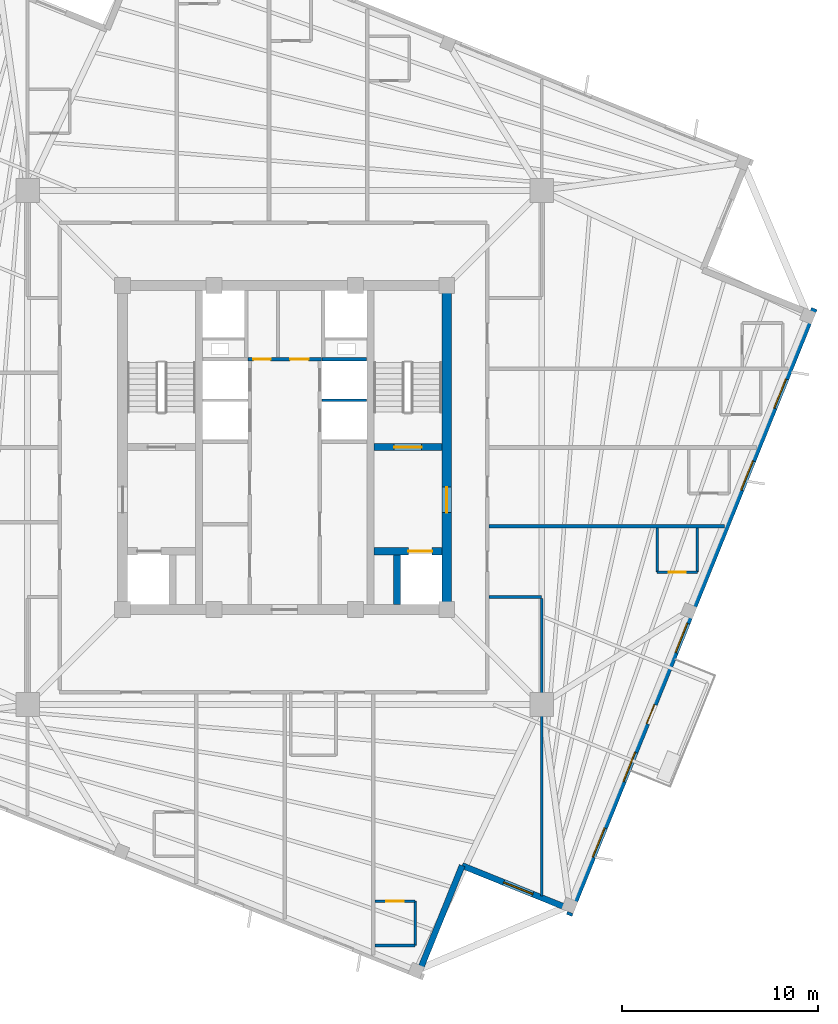
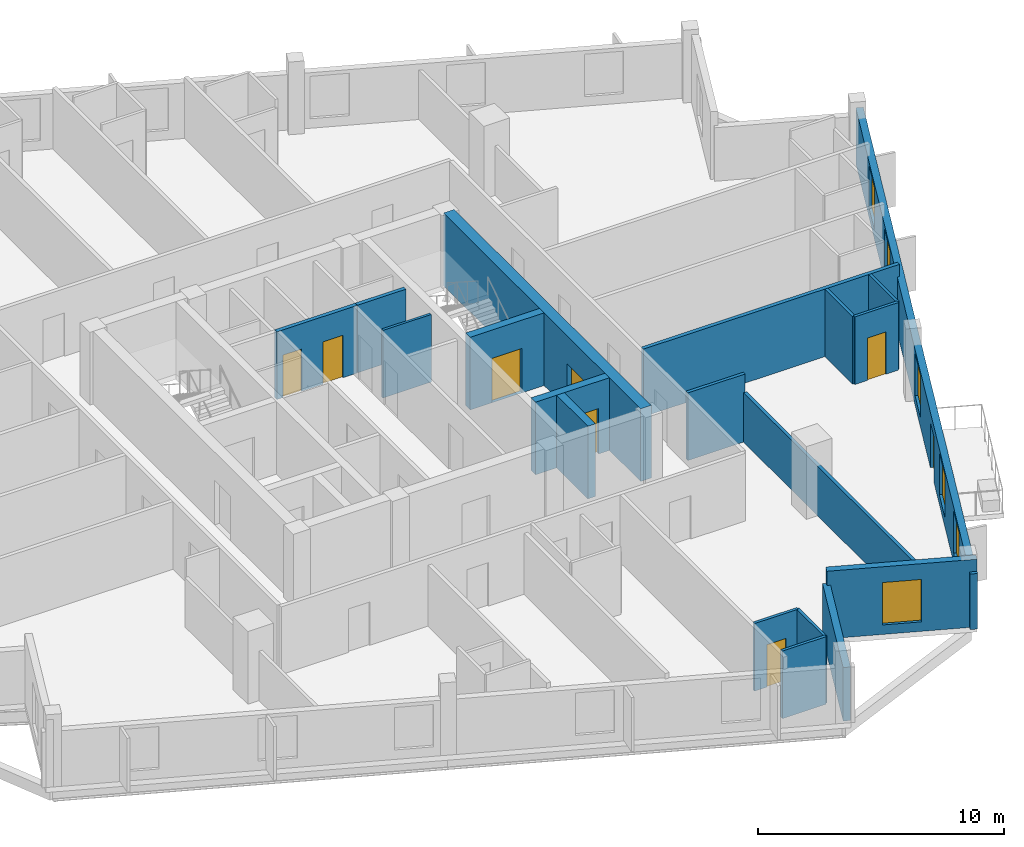
# One storey, part 4 of 9: 19 walls, 8 doors, 6 windows, 14 openings.
"""IFC4 building model written with IfcOpenShell, lengths in metres."""

from ifc_helpers import new_model, si_unit, direction, frame, frame_2d, origin, place, context, subcontext, project, spatial, rectangle, extrude, source, transform, mapped, material, layer, layer_set, type_object, element, fill, save


model = new_model("IFC4")

# Units and contexts
model_context = context("Model", 3, precision=1e-05, world=origin(), true_north=direction((0.0, 1.0)))
body_context = subcontext(model_context, "Body", "Model", "MODEL_VIEW")
ifc_project = project(units=[si_unit("LENGTHUNIT", "METRE"), si_unit("AREAUNIT", "SQUARE_METRE"), si_unit("VOLUMEUNIT", "CUBIC_METRE"), si_unit("PLANEANGLEUNIT", "RADIAN"), si_unit("MASSUNIT", "GRAM", prefix="KILO"), si_unit("THERMODYNAMICTEMPERATUREUNIT", "KELVIN")], contexts=[model_context])

# Site, building, storey
site_placement = place(None, origin())
site = spatial("IfcSite", under=ifc_project, at=site_placement, CompositionType="ELEMENT")
building_placement = place(site_placement, origin())
building = spatial("IfcBuilding", under=site, at=building_placement, Name="Kosmvard Interchange Tower", CompositionType="ELEMENT")
storey_placement = place(building_placement, frame((0.0, 0.0, 283.199951171875)))
storey = spatial("IfcBuildingStorey", under=building, at=storey_placement, Name="L69", CompositionType="ELEMENT", Elevation=283.199951171875)

# Walls
ifc_material_1 = material(Name="Acoustic gypsum partition system")
ifc_layer_1 = layer(ifc_material_1, 0.14990234375, Name="Acoustic gypsum partition system")
ifc_layer_set_1 = layer_set([ifc_layer_1], Name="Acoustic gypsum partition system")
wall_type_1 = type_object("IfcWallType", Name="Acoustic Suite & Meeting Partition 150", PredefinedType="PARTITIONING", material=ifc_layer_set_1)
wall_1_placement = place(storey_placement, frame((10.39501953125, -7.60009765625, 0.0), z_axis=(0.0, 0.0, 1.0), x_axis=(1.0, 0.0, 0.0)))
element("IfcWall", 1, at=wall_1_placement, inside=storey, type_object=wall_type_1, Name="L69 Room Partition 17.1", PredefinedType="PARTITIONING", context=body_context, shape_type="SweptSolid", body=[
    extrude(rectangle(XDim=2.68603515625, YDim=0.14990234375, at=frame_2d((1.343017578125, 0.0))), origin(), (0.0, 0.0, 1.0), 3.35009765625),
])
wall_2_placement = place(storey_placement, frame((13.0810546875, -7.675048828125, 0.0), z_axis=(0.0, 0.0, 1.0), x_axis=(0.0, -1.0, 0.0)))
element("IfcWall", 2, at=wall_2_placement, inside=storey, type_object=wall_type_1, Name="L69 Room Partition 18.1", PredefinedType="PARTITIONING", context=body_context, shape_type="SweptSolid", body=[
    extrude(rectangle(XDim=15.1416015625, YDim=0.14990234375, at=frame_2d((7.57080078125, 0.0))), origin(), (0.0, 0.0, 1.0), 2.449951171875),
])

# Wall, openings, doors
ifc_material_2 = material(Name="Fire-rated gypsum partition system")
ifc_layer_2 = layer(ifc_material_2, 0.179931640625, Name="Fire-rated gypsum partition system")
ifc_layer_set_2 = layer_set([ifc_layer_2], Name="Fire-rated gypsum partition system")
wall_type_2 = type_object("IfcWallType", Name="Corridor & Hotel Compartment Partition 180", PredefinedType="PARTITIONING", material=ifc_layer_set_2)
wall_3_placement = place(storey_placement, frame((-1.8798828125, 4.489990234375, 0.0), z_axis=(0.0, 0.0, 1.0), x_axis=(1.0, 0.0, 0.0)))
wall_3 = element("IfcWall", 3, at=wall_3_placement, inside=storey, type_object=wall_type_2, Name="L69 Lift Lobby North Partition", PredefinedType="PARTITIONING", context=body_context, shape_type="SweptSolid", body=[
    extrude(rectangle(XDim=3.759765625, YDim=0.179931640625, at=frame_2d((1.8798828125, 0.0))), origin(), (0.0, 0.0, 1.0), 3.35009765625),
])
opening_1_placement = place(wall_3_placement, frame((0.280029296875, 0.0, 0.0)))
opening_1 = element("IfcOpeningElement", 4, at=opening_1_placement, cuts=wall_3, Name="Opening L69-KD1", PredefinedType="OPENING", context=body_context, shape_type="SweptSolid", body=[
    extrude(rectangle(XDim=0.8798828125, YDim=2.10009765625, at=frame_2d((0.43994140625, 1.050048828125))), frame((0.0, 0.10009765625, 0.0), z_axis=(0.0, -1.0, 0.0), x_axis=(1.0, 0.0, 0.0)), (0.0, 0.0, 1.0), 0.199951171875),
])
opening_2_placement = place(wall_3_placement, frame((2.14990234375, 0.0, 0.0)))
opening_2 = element("IfcOpeningElement", 5, at=opening_2_placement, cuts=wall_3, Name="Opening L69-KD2", PredefinedType="OPENING", context=body_context, shape_type="SweptSolid", body=[
    extrude(rectangle(XDim=0.949951171875, YDim=2.10009765625, at=frame_2d((0.47509765625, 1.050048828125))), frame((0.0, 0.10009765625, 0.0), z_axis=(0.0, -1.0, 0.0), x_axis=(1.0, 0.0, 0.0)), (0.0, 0.0, 1.0), 0.199951171875),
])
ifc_material_3 = material(Name="Painted fire-rated timber leaf", Category="wood")
door_type_1 = type_object("IfcDoorType", Name="Core Service Fire Door 950x2100 EI30", OperationType="NOTDEFINED", PredefinedType="DOOR", material=ifc_material_3)
shared_shape_1 = source(origin(), body_context, "Body", "SweptSolid", [
    extrude(rectangle(XDim=0.949951171875, YDim=2.10009765625, at=frame_2d((0.47509765625, 1.050048828125))), frame((0.0, 0.02490234375, 0.0), z_axis=(0.0, -1.0, 0.0), x_axis=(1.0, 0.0, 0.0)), (0.0, 0.0, 1.0), 0.050048828125),
])
door_1_placement = place(opening_2_placement, origin())
door_1 = element("IfcDoor", 6, at=door_1_placement, inside=storey, type_object=door_type_1, Name="L69 Core Tea Pantry Door", OperationType="SINGLE_SWING_RIGHT", OverallHeight=2.10009765625, OverallWidth=0.949951171875, PredefinedType="DOOR", context=body_context, shape_type="MappedRepresentation", body=[
    mapped(shared_shape_1, transform((0.0, 0.0, 0.0), scale=1.0)),
])
fill(opening_2, door_1)
door_type_2 = type_object("IfcDoorType", Name="Core Cupboard Fire Door 880x2100 EI30", OperationType="NOTDEFINED", PredefinedType="DOOR", material=ifc_material_3)
shared_shape_2 = source(origin(), body_context, "Body", "SweptSolid", [
    extrude(rectangle(XDim=0.8798828125, YDim=2.10009765625, at=frame_2d((0.43994140625, 1.050048828125))), frame((0.0, 0.02490234375, 0.0), z_axis=(0.0, -1.0, 0.0), x_axis=(1.0, 0.0, 0.0)), (0.0, 0.0, 1.0), 0.050048828125),
])
door_2_placement = place(opening_1_placement, origin())
door_2 = element("IfcDoor", 7, at=door_2_placement, inside=storey, type_object=door_type_2, Name="L69 Core Cleaner Cupboard Door", OperationType="SINGLE_SWING_LEFT", OverallHeight=2.10009765625, OverallWidth=0.8798828125, PredefinedType="DOOR", context=body_context, shape_type="MappedRepresentation", body=[
    mapped(shared_shape_2, transform((0.0, 0.0, 0.0), scale=1.0)),
])
fill(opening_1, door_2)

# Walls
wall_4_placement = place(storey_placement, frame((10.39501953125, -4.0, 0.0), z_axis=(0.0, 0.0, 1.0), x_axis=(1.0, 0.0, 0.0)))
element("IfcWall", 8, at=wall_4_placement, inside=storey, type_object=wall_type_2, Name="L69 Room Partition 06.1", PredefinedType="PARTITIONING", context=body_context, shape_type="SweptSolid", body=[
    extrude(rectangle(XDim=11.99169921875, YDim=0.179931640625, at=frame_2d((5.995849609375, 0.0))), origin(), (0.0, 0.0, 1.0), 3.35009765625),
])
ifc_material_4 = material(Name="Concrete blockwork masonry", Category="masonry")
ifc_layer_3 = layer(ifc_material_4, 0.179931640625, Name="Concrete blockwork masonry")
ifc_layer_set_3 = layer_set([ifc_layer_3], Name="Concrete blockwork masonry")
wall_type_3 = type_object("IfcWallType", Name="Riser & Lift Bank Divider Wall 180", PredefinedType="PARTITIONING", material=ifc_layer_set_3)
wall_5_placement = place(storey_placement, frame((1.889892578125, 4.489990234375, 0.0), z_axis=(0.0, 0.0, 1.0), x_axis=(1.0, 0.0, 0.0)))
element("IfcWall", 9, at=wall_5_placement, inside=storey, type_object=wall_type_3, Name="L69 East Bank Divider BD3", PredefinedType="PARTITIONING", context=body_context, shape_type="SweptSolid", body=[
    extrude(rectangle(XDim=2.280029296875, YDim=0.179931640625, at=frame_2d((1.14013671875, 0.0))), origin(), (0.0, 0.0, 1.0), 3.35009765625),
])
ifc_material_5 = material(Name="Fire-rated gypsum shaftwall system")
ifc_layer_4 = layer(ifc_material_5, 0.1201171875, Name="Fire-rated gypsum shaftwall system")
ifc_layer_set_4 = layer_set([ifc_layer_4], Name="Fire-rated gypsum shaftwall system")
wall_type_4 = type_object("IfcWallType", Name="Shaft & Riser Fire Partition 120 EI60", PredefinedType="PARTITIONING", material=ifc_layer_set_4)
wall_6_placement = place(storey_placement, frame((1.89990234375, 2.39990234375, 0.0), z_axis=(0.0, 0.0, 1.0), x_axis=(1.0, 0.0, 0.0)))
element("IfcWall", 10, at=wall_6_placement, inside=storey, type_object=wall_type_4, Name="L69 Shaft Divider PL-H3", PredefinedType="PARTITIONING", context=body_context, shape_type="SweptSolid", body=[
    extrude(rectangle(XDim=2.260009765625, YDim=0.1201171875, at=frame_2d((1.1298828125, 0.0))), origin(), (0.0, 0.0, 1.0), 3.35009765625),
])

# Wall, opening, door
ifc_material_6 = material(Name="Concrete C60/75", Category="concrete")
ifc_layer_5 = layer(ifc_material_6, 0.360107421875, Name="Concrete C60/75")
ifc_layer_set_5 = layer_set([ifc_layer_5], Name="Concrete C60/75")
wall_type_5 = type_object("IfcWallType", Name="Stair & Lift Shaft Shear Wall 360 C60/75", PredefinedType="SHEAR", material=ifc_layer_set_5)
wall_7_placement = place(storey_placement, frame((4.5400390625, 0.02001953125, 0.0), z_axis=(0.0, 0.0, 1.0), x_axis=(1.0, 0.0, 0.0)))
wall_7 = element("IfcWall", 11, at=wall_7_placement, inside=storey, type_object=wall_type_5, Name="L69 Shaft Shear Wall SW-ST2", PredefinedType="SHEAR", context=body_context, shape_type="SweptSolid", body=[
    extrude(rectangle(XDim=3.4599609375, YDim=0.360107421875, at=frame_2d((1.72998046875, 0.0))), origin(), (0.0, 0.0, 1.0), 3.60009765625),
])
opening_3_placement = place(wall_7_placement, frame((1.030029296875, 0.0, 0.0)))
opening_3 = element("IfcOpeningElement", 12, at=opening_3_placement, cuts=wall_7, Name="Opening L69-SD2", PredefinedType="OPENING", context=body_context, shape_type="SweptSolid", body=[
    extrude(rectangle(XDim=1.39990234375, YDim=2.199951171875, at=frame_2d((0.699951171875, 1.10009765625))), frame((0.0, 0.18994140625, 0.0), z_axis=(0.0, -1.0, 0.0), x_axis=(1.0, 0.0, 0.0)), (0.0, 0.0, 1.0), 0.380126953125),
])
ifc_material_7 = material(Name="Painted fire-rated steel leaf", Category="steel")
door_type_3 = type_object("IfcDoorType", Name="Protected Stair Door 1400x2200 FD60S", OperationType="NOTDEFINED", PredefinedType="DOOR", material=ifc_material_7)
shared_shape_3 = source(origin(), body_context, "Body", "SweptSolid", [
    extrude(rectangle(XDim=1.39990234375, YDim=2.199951171875, at=frame_2d((0.699951171875, 1.10009765625))), frame((0.0, 0.02490234375, 0.0), z_axis=(0.0, -1.0, 0.0), x_axis=(1.0, 0.0, 0.0)), (0.0, 0.0, 1.0), 0.050048828125),
])
door_3_placement = place(opening_3_placement, origin())
door_3 = element("IfcDoor", 13, at=door_3_placement, inside=storey, type_object=door_type_3, Name="L69 Stair ST-2 Enclosure Door", OperationType="SINGLE_SWING_RIGHT", OverallHeight=2.199951171875, OverallWidth=1.39990234375, PredefinedType="DOOR", context=body_context, shape_type="MappedRepresentation", body=[
    mapped(shared_shape_3, transform((0.0, 0.0, 0.0), scale=1.0)),
])
fill(opening_3, door_3)

wall_8_placement = place(storey_placement, frame((4.5400390625, -5.280029296875, 0.0), z_axis=(0.0, 0.0, 1.0), x_axis=(1.0, 0.0, 0.0)))
wall_8 = element("IfcWall", 14, at=wall_8_placement, inside=storey, type_object=wall_type_5, Name="L69 Shaft Shear Wall SW-FF2", PredefinedType="SHEAR", context=body_context, shape_type="SweptSolid", body=[
    extrude(rectangle(XDim=3.4599609375, YDim=0.360107421875, at=frame_2d((1.72998046875, 0.0))), origin(), (0.0, 0.0, 1.0), 3.60009765625),
])
opening_4_placement = place(wall_8_placement, frame((1.760009765625, 0.0, 0.0)))
opening_4 = element("IfcOpeningElement", 15, at=opening_4_placement, cuts=wall_8, Name="Opening LD-FF-2-L69", PredefinedType="OPENING", context=body_context, shape_type="SweptSolid", body=[
    extrude(rectangle(XDim=1.199951171875, YDim=2.25, at=frame_2d((0.60009765625, 1.125))), frame((0.0, 0.18994140625, 0.0), z_axis=(0.0, -1.0, 0.0), x_axis=(1.0, 0.0, 0.0)), (0.0, 0.0, 1.0), 0.380126953125),
])
ifc_material_8 = material(Name="Brushed stainless steel sliding leaf", Category="steel")
door_type_4 = type_object("IfcDoorType", Name="Firefighting Lift Sliding Landing Door 1200x2250 EI120", OperationType="DOUBLE_DOOR_SLIDING", PredefinedType="DOOR", material=ifc_material_8)
shared_shape_4 = source(origin(), body_context, "Body", "SweptSolid", [
    extrude(rectangle(XDim=1.199951171875, YDim=2.25, at=frame_2d((0.60009765625, 1.125))), frame((0.0, 0.02490234375, 0.0), z_axis=(0.0, -1.0, 0.0), x_axis=(1.0, 0.0, 0.0)), (0.0, 0.0, 1.0), 0.050048828125),
])
door_4_placement = place(opening_4_placement, origin())
door_4 = element("IfcDoor", 16, at=door_4_placement, inside=storey, type_object=door_type_4, Name="Lift FF-2 Landing Door L69", OperationType="DOUBLE_DOOR_SLIDING", OverallHeight=2.25, OverallWidth=1.199951171875, PredefinedType="DOOR", context=body_context, shape_type="MappedRepresentation", body=[
    mapped(shared_shape_4, transform((0.0, 0.0, 0.0), scale=1.0)),
])
fill(opening_4, door_4)

# Wall
wall_9_placement = place(storey_placement, frame((5.7099609375, -8.0, 0.0), z_axis=(0.0, 0.0, 1.0), x_axis=(0.0, 1.0, 0.0)))
element("IfcWall", 17, at=wall_9_placement, inside=storey, type_object=wall_type_5, Name="L69 Shaft Shear Wall SW-SM2", PredefinedType="SHEAR", context=body_context, shape_type="SweptSolid", body=[
    extrude(rectangle(XDim=2.5400390625, YDim=0.360107421875, at=frame_2d((1.27001953125, 0.0))), origin(), (0.0, 0.0, 1.0), 3.60009765625),
])

# Wall, opening, door
ifc_layer_6 = layer(ifc_material_6, 0.5, Name="Concrete C60/75")
ifc_layer_set_6 = layer_set([ifc_layer_6], Name="Concrete C60/75")
wall_type_6 = type_object("IfcWallType", Name="Upper Core Shear Wall 500 C60/75", PredefinedType="SHEAR", material=ifc_layer_set_6)
wall_10_placement = place(storey_placement, frame((8.25, -8.0, 0.0), z_axis=(0.0, 0.0, 1.0), x_axis=(0.0, 1.0, 0.0)))
wall_10 = element("IfcWall", 18, at=wall_10_placement, inside=storey, type_object=wall_type_6, Name="L69 Core Shear Wall CW-E", PredefinedType="SHEAR", context=body_context, shape_type="SweptSolid", body=[
    extrude(rectangle(XDim=16.0, YDim=0.5, at=frame_2d((8.0, 0.0))), origin(), (0.0, 0.0, 1.0), 3.60009765625),
])
opening_5_placement = place(wall_10_placement, frame((4.68994140625, 0.0, 0.0)))
opening_5 = element("IfcOpeningElement", 19, at=opening_5_placement, cuts=wall_10, Name="Opening L69-FD2", PredefinedType="OPENING", context=body_context, shape_type="SweptSolid", body=[
    extrude(rectangle(XDim=1.300048828125, YDim=2.199951171875, at=frame_2d((0.64990234375, 1.10009765625))), frame((0.0, 0.260009765625, 0.0), z_axis=(0.0, -1.0, 0.0), x_axis=(1.0, 0.0, 0.0)), (0.0, 0.0, 1.0), 0.52001953125),
])
door_type_5 = type_object("IfcDoorType", Name="Firefighting Lobby Door 1300x2200 EI60", OperationType="NOTDEFINED", PredefinedType="DOOR", material=ifc_material_7)
shared_shape_5 = source(origin(), body_context, "Body", "SweptSolid", [
    extrude(rectangle(XDim=1.300048828125, YDim=2.199951171875, at=frame_2d((0.64990234375, 1.10009765625))), frame((0.0, 0.02490234375, 0.0), z_axis=(0.0, -1.0, 0.0), x_axis=(1.0, 0.0, 0.0)), (0.0, 0.0, 1.0), 0.050048828125),
])
door_5_placement = place(opening_5_placement, origin())
door_5 = element("IfcDoor", 20, at=door_5_placement, inside=storey, type_object=door_type_5, Name="L69 Firefighting Lobby East Door", OperationType="SINGLE_SWING_RIGHT", OverallHeight=2.199951171875, OverallWidth=1.300048828125, PredefinedType="DOOR", context=body_context, shape_type="MappedRepresentation", body=[
    mapped(shared_shape_5, transform((0.0, 0.0, 0.0), scale=1.0)),
])
fill(opening_5, door_5)

# Wall, openings, door, windows
ifc_material_9 = material(Name="Precast concrete C45/55", Category="concrete")
ifc_layer_7 = layer(ifc_material_9, 0.31005859375, Name="Precast concrete C45/55")
ifc_layer_set_7 = layer_set([ifc_layer_7], Name="Precast concrete C45/55")
wall_type_7 = type_object("IfcWallType", Name="Upper Tower Precast Pier Wall 310 C45/55", PredefinedType="STANDARD", material=ifc_layer_set_7)
wall_11_placement = place(storey_placement, frame((14.478759765625, -23.812744140625, 0.0), z_axis=(0.0, 0.0, 1.0), x_axis=(0.374609557019, 0.927182657188, 0.0)))
wall_11 = element("IfcWall", 21, at=wall_11_placement, inside=storey, type_object=wall_type_7, Name="L69 Precast Facade Wall F-S", PredefinedType="STANDARD", context=body_context, shape_type="SweptSolid", body=[
    extrude(rectangle(XDim=33.31005859375, YDim=0.31005859375, at=frame_2d((16.655029296875, 0.0))), origin(), (0.0, 0.0, 1.0), 2.75),
])
opening_6_placement = place(wall_11_placement, frame((10.530029296875, 0.0, 0.0)))
opening_6 = element("IfcOpeningElement", 22, at=opening_6_placement, cuts=wall_11, Name="Opening L69-BDS", PredefinedType="OPENING", context=body_context, shape_type="SweptSolid", body=[
    extrude(rectangle(XDim=1.050048828125, YDim=2.25, at=frame_2d((0.52490234375, 1.125))), frame((0.0, 0.1650390625, 0.0), z_axis=(0.0, -1.0, 0.0), x_axis=(1.0, 0.0, 0.0)), (0.0, 0.0, 1.0), 0.330078125),
])
opening_7_placement = place(wall_11_placement, frame((3.197265625, 0.0, 0.469970703125)))
opening_7 = element("IfcOpeningElement", 23, at=opening_7_placement, cuts=wall_11, Name="Opening L69-W01", PredefinedType="OPENING", context=body_context, shape_type="SweptSolid", body=[
    extrude(rectangle(XDim=1.60009765625, YDim=2.10009765625, at=frame_2d((0.800048828125, 1.050048828125))), frame((0.0, 0.1650390625, 0.0), z_axis=(0.0, -1.0, 0.0), x_axis=(1.0, 0.0, 0.0)), (0.0, 0.0, 1.0), 0.330078125),
])
opening_8_placement = place(wall_11_placement, frame((7.35986328125, 0.0, 0.469970703125)))
opening_8 = element("IfcOpeningElement", 24, at=opening_8_placement, cuts=wall_11, Name="Opening L69-W02", PredefinedType="OPENING", context=body_context, shape_type="SweptSolid", body=[
    extrude(rectangle(XDim=1.60009765625, YDim=2.10009765625, at=frame_2d((0.800048828125, 1.050048828125))), frame((0.0, 0.1650390625, 0.0), z_axis=(0.0, -1.0, 0.0), x_axis=(1.0, 0.0, 0.0)), (0.0, 0.0, 1.0), 0.330078125),
])
opening_9_placement = place(wall_11_placement, frame((14.438720703125, 0.0, 0.469970703125)))
opening_9 = element("IfcOpeningElement", 25, at=opening_9_placement, cuts=wall_11, Name="Opening L69-W03", PredefinedType="OPENING", context=body_context, shape_type="SweptSolid", body=[
    extrude(rectangle(XDim=1.60009765625, YDim=2.10009765625, at=frame_2d((0.800048828125, 1.050048828125))), frame((0.0, 0.1650390625, 0.0), z_axis=(0.0, -1.0, 0.0), x_axis=(1.0, 0.0, 0.0)), (0.0, 0.0, 1.0), 0.330078125),
])
opening_10_placement = place(wall_11_placement, frame((23.350830078125, 0.0, 0.469970703125)))
opening_10 = element("IfcOpeningElement", 26, at=opening_10_placement, cuts=wall_11, Name="Opening L69-W04", PredefinedType="OPENING", context=body_context, shape_type="SweptSolid", body=[
    extrude(rectangle(XDim=1.60009765625, YDim=2.10009765625, at=frame_2d((0.800048828125, 1.050048828125))), frame((0.0, 0.1650390625, 0.0), z_axis=(0.0, -1.0, 0.0), x_axis=(1.0, 0.0, 0.0)), (0.0, 0.0, 1.0), 0.330078125),
])
opening_11_placement = place(wall_11_placement, frame((27.8466796875, 0.0, 0.469970703125)))
opening_11 = element("IfcOpeningElement", 27, at=opening_11_placement, cuts=wall_11, Name="Opening L69-W05", PredefinedType="OPENING", context=body_context, shape_type="SweptSolid", body=[
    extrude(rectangle(XDim=1.60009765625, YDim=2.10009765625, at=frame_2d((0.800048828125, 1.050048828125))), frame((0.0, 0.1650390625, 0.0), z_axis=(0.0, -1.0, 0.0), x_axis=(1.0, 0.0, 0.0)), (0.0, 0.0, 1.0), 0.330078125),
])
ifc_material_10 = material(Name="Anodised aluminium and safety glass", Category="aluminium")
door_type_6 = type_object("IfcDoorType", Name="Tree-Balcony Glazed Door 1050x2250", OperationType="NOTDEFINED", PredefinedType="DOOR", material=ifc_material_10)
shared_shape_6 = source(origin(), body_context, "Body", "SweptSolid", [
    extrude(rectangle(XDim=1.050048828125, YDim=2.25, at=frame_2d((0.52490234375, 1.125))), frame((0.0, 0.02490234375, 0.0), z_axis=(0.0, -1.0, 0.0), x_axis=(1.0, 0.0, 0.0)), (0.0, 0.0, 1.0), 0.050048828125),
])
door_6_placement = place(opening_6_placement, origin())
door_6 = element("IfcDoor", 28, at=door_6_placement, inside=storey, type_object=door_type_6, Name="L69 Tree-Balcony Door BAL-L69-S", OperationType="SINGLE_SWING_RIGHT", OverallHeight=2.25, OverallWidth=1.050048828125, PredefinedType="DOOR", context=body_context, shape_type="MappedRepresentation", body=[
    mapped(shared_shape_6, transform((0.0, 0.0, 0.0), scale=1.0)),
])
fill(opening_6, door_6)
ifc_material_11 = material(Name="Low-E acoustic double glazing", Category="glass")
window_type = type_object("IfcWindowType", Name="Zone 5 Hotel Punched Window 1600x2100", PartitioningType="SINGLE_PANEL", PredefinedType="WINDOW", material=ifc_material_11)
shared_shape_7 = source(origin(), body_context, "Body", "SweptSolid", [
    extrude(rectangle(XDim=1.60009765625, YDim=2.10009765625, at=frame_2d((0.800048828125, 1.050048828125))), frame((0.0, 0.030029296875, 0.0), z_axis=(0.0, -1.0, 0.0), x_axis=(1.0, 0.0, 0.0)), (0.0, 0.0, 1.0), 0.06005859375),
])
window_1_placement = place(opening_7_placement, origin())
window_1 = element("IfcWindow", 29, at=window_1_placement, inside=storey, type_object=window_type, Name="L69 Facade Punched Window 01", OverallHeight=2.10009765625, OverallWidth=1.60009765625, PartitioningType="SINGLE_PANEL", PredefinedType="WINDOW", context=body_context, shape_type="MappedRepresentation", body=[
    mapped(shared_shape_7, transform((0.0, 0.0, 0.0), scale=1.0)),
])
fill(opening_7, window_1)
window_2_placement = place(opening_8_placement, origin())
window_2 = element("IfcWindow", 30, at=window_2_placement, inside=storey, type_object=window_type, Name="L69 Facade Punched Window 02", OverallHeight=2.10009765625, OverallWidth=1.60009765625, PartitioningType="SINGLE_PANEL", PredefinedType="WINDOW", context=body_context, shape_type="MappedRepresentation", body=[
    mapped(shared_shape_7, transform((0.0, 0.0, 0.0), scale=1.0)),
])
fill(opening_8, window_2)
window_3_placement = place(opening_9_placement, origin())
window_3 = element("IfcWindow", 31, at=window_3_placement, inside=storey, type_object=window_type, Name="L69 Facade Punched Window 03", OverallHeight=2.10009765625, OverallWidth=1.60009765625, PartitioningType="SINGLE_PANEL", PredefinedType="WINDOW", context=body_context, shape_type="MappedRepresentation", body=[
    mapped(shared_shape_7, transform((0.0, 0.0, 0.0), scale=1.0)),
])
fill(opening_9, window_3)
window_4_placement = place(opening_10_placement, origin())
window_4 = element("IfcWindow", 32, at=window_4_placement, inside=storey, type_object=window_type, Name="L69 Facade Punched Window 04", OverallHeight=2.10009765625, OverallWidth=1.60009765625, PartitioningType="SINGLE_PANEL", PredefinedType="WINDOW", context=body_context, shape_type="MappedRepresentation", body=[
    mapped(shared_shape_7, transform((0.0, 0.0, 0.0), scale=1.0)),
])
fill(opening_10, window_4)
window_5_placement = place(opening_11_placement, origin())
window_5 = element("IfcWindow", 33, at=window_5_placement, inside=storey, type_object=window_type, Name="L69 Facade Punched Window 05", OverallHeight=2.10009765625, OverallWidth=1.60009765625, PartitioningType="SINGLE_PANEL", PredefinedType="WINDOW", context=body_context, shape_type="MappedRepresentation", body=[
    mapped(shared_shape_7, transform((0.0, 0.0, 0.0), scale=1.0)),
])
fill(opening_11, window_5)

# Wall
wall_12_placement = place(storey_placement, frame((6.7841796875, -26.8408203125, 0.0), z_axis=(0.0, 0.0, 1.0), x_axis=(0.374636620962, 0.927171722085, 0.0)))
element("IfcWall", 34, at=wall_12_placement, inside=storey, type_object=wall_type_7, Name="L69 Precast Facade Wall N-SW1", PredefinedType="STANDARD", context=body_context, shape_type="SweptSolid", body=[
    extrude(rectangle(XDim=6.0, YDim=0.31005859375, at=frame_2d((3.0, 0.0))), origin(), (0.0, 0.0, 1.0), 2.650146484375),
])

# Wall, opening, window
wall_13_placement = place(storey_placement, frame((9.031982421875, -21.27783203125, 0.0), z_axis=(0.0, 0.0, 1.0), x_axis=(0.927185411764, -0.374602739196, 0.0)))
wall_13 = element("IfcWall", 35, at=wall_13_placement, inside=storey, type_object=wall_type_7, Name="L69 Precast Facade Wall N-SW2", PredefinedType="STANDARD", context=body_context, shape_type="SweptSolid", body=[
    extrude(rectangle(XDim=6.155029296875, YDim=0.31005859375, at=frame_2d((3.07763671875, 0.0))), origin(), (0.0, 0.0, 1.0), 3.35009765625),
])
opening_12_placement = place(wall_13_placement, frame((2.277587890625, 0.0, 0.469970703125)))
opening_12 = element("IfcOpeningElement", 36, at=opening_12_placement, cuts=wall_13, Name="Opening L69-W24", PredefinedType="OPENING", context=body_context, shape_type="SweptSolid", body=[
    extrude(rectangle(XDim=1.60009765625, YDim=2.10009765625, at=frame_2d((0.800048828125, 1.050048828125))), frame((0.0, 0.1650390625, 0.0), z_axis=(0.0, -1.0, 0.0), x_axis=(1.0, 0.0, 0.0)), (0.0, 0.0, 1.0), 0.330078125),
])
window_6_placement = place(opening_12_placement, origin())
window_6 = element("IfcWindow", 37, at=window_6_placement, inside=storey, type_object=window_type, Name="L69 Corner Notch Window 24", OverallHeight=2.10009765625, OverallWidth=1.60009765625, PartitioningType="SINGLE_PANEL", PredefinedType="WINDOW", context=body_context, shape_type="MappedRepresentation", body=[
    mapped(shared_shape_7, transform((0.0, 0.0, 0.0), scale=1.0)),
])
fill(opening_12, window_6)

# Wall, opening, door
ifc_material_12 = material(Name="Moisture-resistant gypsum partition")
ifc_layer_8 = layer(ifc_material_12, 0.135009765625, Name="Moisture-resistant gypsum partition")
ifc_layer_set_8 = layer_set([ifc_layer_8], Name="Moisture-resistant gypsum partition")
wall_type_8 = type_object("IfcWallType", Name="Wet Room Moisture-Resistant Partition 135", PredefinedType="PARTITIONING", material=ifc_layer_set_8)
wall_14_placement = place(storey_placement, frame((18.953369140625, -6.340087890625, 0.0), z_axis=(0.0, 0.0, 1.0), x_axis=(1.0, 0.0, 0.0)))
wall_14 = element("IfcWall", 38, at=wall_14_placement, inside=storey, type_object=wall_type_8, Name="L69 En-Suite Partition HGR8-S", PredefinedType="PARTITIONING", context=body_context, shape_type="SweptSolid", body=[
    extrude(rectangle(XDim=2.050048828125, YDim=0.135009765625, at=frame_2d((1.02490234375, 0.0))), origin(), (0.0, 0.0, 1.0), 3.35009765625),
])
opening_13_placement = place(wall_14_placement, frame((0.5849609375, 0.0, 0.0)))
opening_13 = element("IfcOpeningElement", 39, at=opening_13_placement, cuts=wall_14, Name="Opening L69-ED21", PredefinedType="OPENING", context=body_context, shape_type="SweptSolid", body=[
    extrude(rectangle(XDim=0.8798828125, YDim=2.10009765625, at=frame_2d((0.43994140625, 1.050048828125))), frame((0.0, 0.07763671875, 0.0), z_axis=(0.0, -1.0, 0.0), x_axis=(1.0, 0.0, 0.0)), (0.0, 0.0, 1.0), 0.155029296875),
])
ifc_material_13 = material(Name="Laminated moisture-resistant timber", Category="wood")
door_type_7 = type_object("IfcDoorType", Name="En-Suite & Washroom Door 880x2100", OperationType="NOTDEFINED", PredefinedType="DOOR", material=ifc_material_13)
door_7_placement = place(opening_13_placement, origin())
door_7 = element("IfcDoor", 40, at=door_7_placement, inside=storey, type_object=door_type_7, Name="L69 HGR8 En-Suite Door", OperationType="SINGLE_SWING_RIGHT", OverallHeight=2.10009765625, OverallWidth=0.8798828125, PredefinedType="DOOR", context=body_context, shape_type="MappedRepresentation", body=[
    mapped(shared_shape_2, transform((0.0, 0.0, 0.0), scale=1.0)),
])
fill(opening_13, door_7)

# Walls
for number, where, z_axis, x_axis, name in (
    (41, (21.00341796875, -6.340087890625, 0.0), (0.0, 0.0, 1.0), (0.0, 1.0, 0.0), "L69 En-Suite Partition HGR8-E"),
    (42, (18.953369140625, -6.340087890625, 0.0), (0.0, 0.0, 1.0), (0.0, 1.0, 0.0), "L69 En-Suite Partition HGR8-W"),
):
    element("IfcWall", number, at=place(storey_placement, frame(where, z_axis=z_axis, x_axis=x_axis)), inside=storey, type_object=wall_type_8, Name=name, PredefinedType="PARTITIONING", context=body_context, shape_type="SweptSolid", body=[
        extrude(rectangle(XDim=2.25, YDim=0.135009765625, at=frame_2d((1.125, 0.0))), origin(), (0.0, 0.0, 1.0), 3.35009765625),
    ])
wall_15_placement = place(storey_placement, frame((4.590087890625, -25.341552734375, 0.0), z_axis=(0.0, 0.0, 1.0), x_axis=(1.0, 0.0, 0.0)))
element("IfcWall", 43, at=wall_15_placement, inside=storey, type_object=wall_type_8, Name="L69 En-Suite Partition HCS3-S", PredefinedType="PARTITIONING", context=body_context, shape_type="SweptSolid", body=[
    extrude(rectangle(XDim=2.0498046875, YDim=0.135009765625, at=frame_2d((1.02490234375, 0.0))), origin(), (0.0, 0.0, 1.0), 3.35009765625),
])
wall_16_placement = place(storey_placement, frame((6.639892578125, -25.341552734375, 0.0), z_axis=(0.0, 0.0, 1.0), x_axis=(0.0, 1.0, 0.0)))
element("IfcWall", 44, at=wall_16_placement, inside=storey, type_object=wall_type_8, Name="L69 En-Suite Partition HCS3-E", PredefinedType="PARTITIONING", context=body_context, shape_type="SweptSolid", body=[
    extrude(rectangle(XDim=2.25, YDim=0.135009765625, at=frame_2d((1.125, 0.0))), origin(), (0.0, 0.0, 1.0), 3.35009765625),
])

# Wall, opening, door
wall_17_placement = place(storey_placement, frame((4.590087890625, -23.091552734375, 0.0), z_axis=(0.0, 0.0, 1.0), x_axis=(1.0, 0.0, 0.0)))
wall_17 = element("IfcWall", 45, at=wall_17_placement, inside=storey, type_object=wall_type_8, Name="L69 En-Suite Partition HCS3-N", PredefinedType="PARTITIONING", context=body_context, shape_type="SweptSolid", body=[
    extrude(rectangle(XDim=2.0498046875, YDim=0.135009765625, at=frame_2d((1.02490234375, 0.0))), origin(), (0.0, 0.0, 1.0), 3.35009765625),
])
opening_14_placement = place(wall_17_placement, frame((0.5849609375, 0.0, 0.0)))
opening_14 = element("IfcOpeningElement", 46, at=opening_14_placement, cuts=wall_17, Name="Opening L69-ED23", PredefinedType="OPENING", context=body_context, shape_type="SweptSolid", body=[
    extrude(rectangle(XDim=0.8798828125, YDim=2.10009765625, at=frame_2d((0.43994140625, 1.050048828125))), frame((0.0, 0.07763671875, 0.0), z_axis=(0.0, -1.0, 0.0), x_axis=(1.0, 0.0, 0.0)), (0.0, 0.0, 1.0), 0.155029296875),
])
door_8_placement = place(opening_14_placement, frame((0.8798828125, 0.0, 0.0), z_axis=(0.0, 0.0, 1.0), x_axis=(-1.0, 0.0, 0.0)))
door_8 = element("IfcDoor", 47, at=door_8_placement, inside=storey, type_object=door_type_7, Name="L69 HCS3 En-Suite Door", OperationType="SINGLE_SWING_RIGHT", OverallHeight=2.10009765625, OverallWidth=0.8798828125, PredefinedType="DOOR", context=body_context, shape_type="MappedRepresentation", body=[
    mapped(shared_shape_2, transform((0.0, 0.0, 0.0), scale=1.0)),
])
fill(opening_14, door_8)

save(model, "model.ifc")
